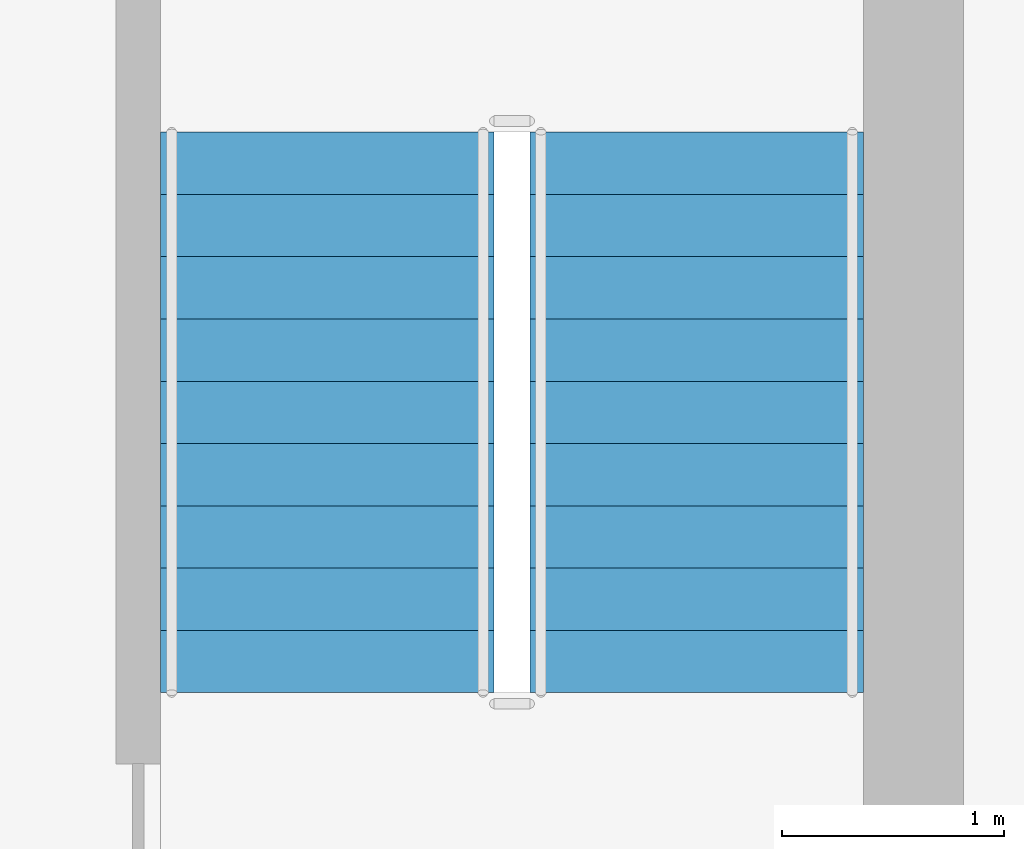
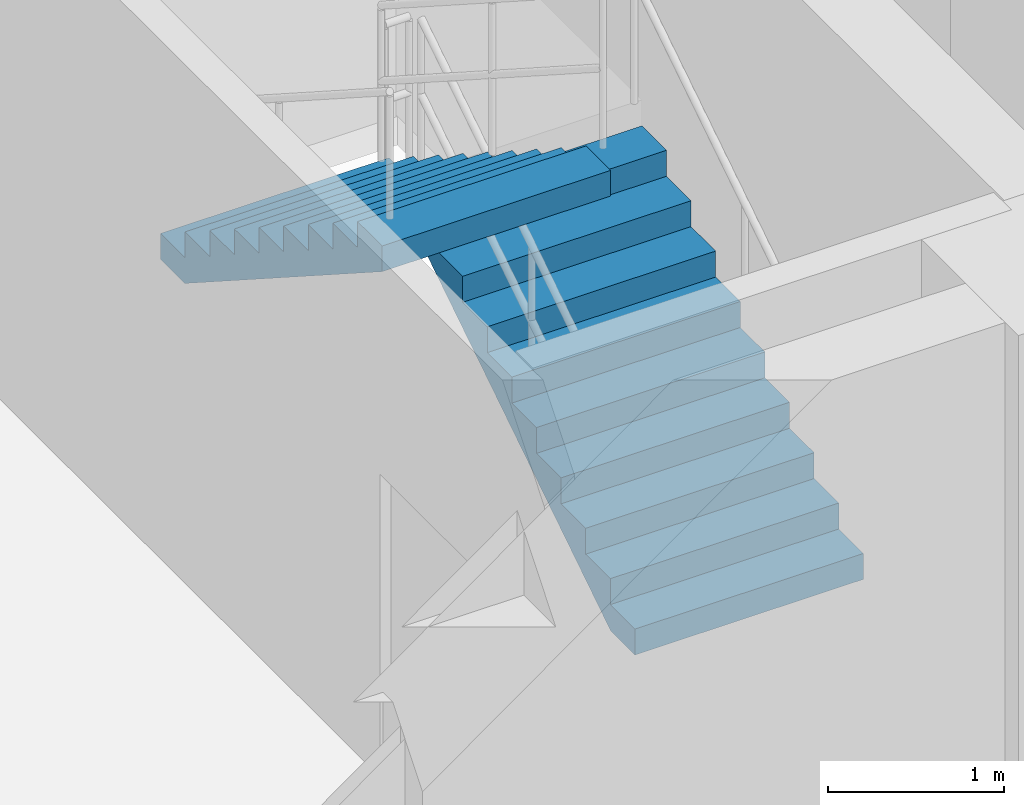
# One storey, part 12 of 15: 2 stair flights, 1 element without a shape of its own.
"""IFC4 building model written with IfcOpenShell, lengths in metres."""

from ifc_helpers import new_model, si_unit, derived_unit, direction, frame, origin, place, context, subcontext, project, spatial, polyline, outline, extrude, material, type_object, element, aggregate, save


model = new_model("IFC4")

# Units and contexts
model_context = context("Model", 3, precision=1e-05, world=origin(), true_north=direction((0.0, 1.0)))
body_context = subcontext(model_context, "Body", "Model", "MODEL_VIEW")
ifc_project = project(units=[si_unit("LENGTHUNIT", "METRE"), si_unit("AREAUNIT", "SQUARE_METRE"), si_unit("VOLUMEUNIT", "CUBIC_METRE"), si_unit("PLANEANGLEUNIT", "RADIAN"), si_unit("MASSUNIT", "GRAM", prefix="KILO"), derived_unit("THERMALTRANSMITTANCEUNIT", [(si_unit("POWERUNIT", "WATT"), 1), (si_unit("LENGTHUNIT", "METRE"), -2), (si_unit("THERMODYNAMICTEMPERATUREUNIT", "KELVIN"), -1)])], contexts=[model_context])

# Site, building, storey
site_placement = place(None, origin())
site = spatial("IfcSite", under=ifc_project, at=site_placement, CompositionType="ELEMENT")
building_placement = place(site_placement, origin())
building = spatial("IfcBuilding", under=site, at=building_placement, Name="Korsvarv Bourse and Concert Hall", CompositionType="ELEMENT")
storey_placement = place(building_placement, frame((0.0, 0.0, 109.800048828125)))
storey = spatial("IfcBuildingStorey", under=building, at=storey_placement, Name="L27", CompositionType="ELEMENT", Elevation=109.800048828125)

# Stair, stair flights
ifc_material = material(Name="Precast concrete C45/55", Category="concrete")
stair_type = type_object("IfcStairType", Name="STR-TYPE-04", PredefinedType="HALF_TURN_STAIR", material=ifc_material)
stair_placement = place(storey_placement, origin())
stair = element("IfcStair", 1, at=stair_placement, inside=storey, type_object=stair_type, Name="L27 Tower East Exit Stair ST-T2", PredefinedType="HALF_TURN_STAIR")
stair_flight_type = type_object("IfcStairFlightType", Name="FLT-TYPE-04", PredefinedType="STRAIGHT", material=ifc_material)
stair_flight_1_placement = place(storey_placement, frame((43.64990234375, 40.0, 0.0), z_axis=(0.0, 0.0, 1.0), x_axis=(0.0, 1.0, 0.0)))
stair_flight_1 = element("IfcStairFlight", 2, at=stair_flight_1_placement, type_object=stair_flight_type, Name="ST-T2 flight 1", NumberOfRisers=10, NumberOfTreads=9, PredefinedType="STRAIGHT", RiserHeight=0.18, TreadLength=0.28, context=body_context, shape_type="SweptSolid", body=[
    extrude(outline(polyline([(0.0, 0.0), (0.0, 0.179931640625), (0.280029296875, 0.179931640625), (0.280029296875, 0.360107421875), (0.56005859375, 0.360107421875), (0.56005859375, 0.5400390625), (0.840087890625, 0.5400390625), (0.840087890625, 0.719970703125), (1.1201171875, 0.719970703125), (1.1201171875, 0.89990234375), (1.39990234375, 0.89990234375), (1.39990234375, 1.080078125), (1.679931640625, 1.080078125), (1.679931640625, 1.260009765625), (1.9599609375, 1.260009765625), (1.9599609375, 1.43994140625), (2.239990234375, 1.43994140625), (2.239990234375, 1.6201171875), (2.52001953125, 1.6201171875), (2.52001953125, 1.800048828125), (2.52001953125, 1.44189453125), (0.277099609375, 0.0), (0.0, 0.0)])), frame((0.0, 0.75, 0.0), z_axis=(0.0, -1.0, 0.0), x_axis=(1.0, 0.0, 0.0)), (0.0, 0.0, 1.0), 1.5),
])
stair_flight_2_placement = place(storey_placement, frame((41.989990234375, 42.52001953125, 1.800048828125), z_axis=(0.0, 0.0, 1.0), x_axis=(0.0, -1.0, 0.0)))
stair_flight_2 = element("IfcStairFlight", 3, at=stair_flight_2_placement, type_object=stair_flight_type, Name="ST-T2 flight 2", NumberOfRisers=10, NumberOfTreads=9, PredefinedType="STRAIGHT", RiserHeight=0.18, TreadLength=0.28, context=body_context, shape_type="SweptSolid", body=[
    extrude(outline(polyline([(0.0, 0.0), (0.0, 0.179931640625), (0.280029296875, 0.179931640625), (0.280029296875, 0.360107421875), (0.56005859375, 0.360107421875), (0.56005859375, 0.5400390625), (0.840087890625, 0.5400390625), (0.840087890625, 0.719970703125), (1.1201171875, 0.719970703125), (1.1201171875, 0.89990234375), (1.39990234375, 0.89990234375), (1.39990234375, 1.080078125), (1.679931640625, 1.080078125), (1.679931640625, 1.260009765625), (1.9599609375, 1.260009765625), (1.9599609375, 1.43994140625), (2.239990234375, 1.43994140625), (2.239990234375, 1.6201171875), (2.52001953125, 1.6201171875), (2.52001953125, 1.800048828125), (2.52001953125, 1.44189453125), (0.277099609375, 0.0), (0.0, 0.0)])), frame((0.0, 0.75, 0.0), z_axis=(0.0, -1.0, 0.0), x_axis=(1.0, 0.0, 0.0)), (0.0, 0.0, 1.0), 1.5),
])
aggregate(stair, [stair_flight_1, stair_flight_2])

save(model, "model.ifc")
